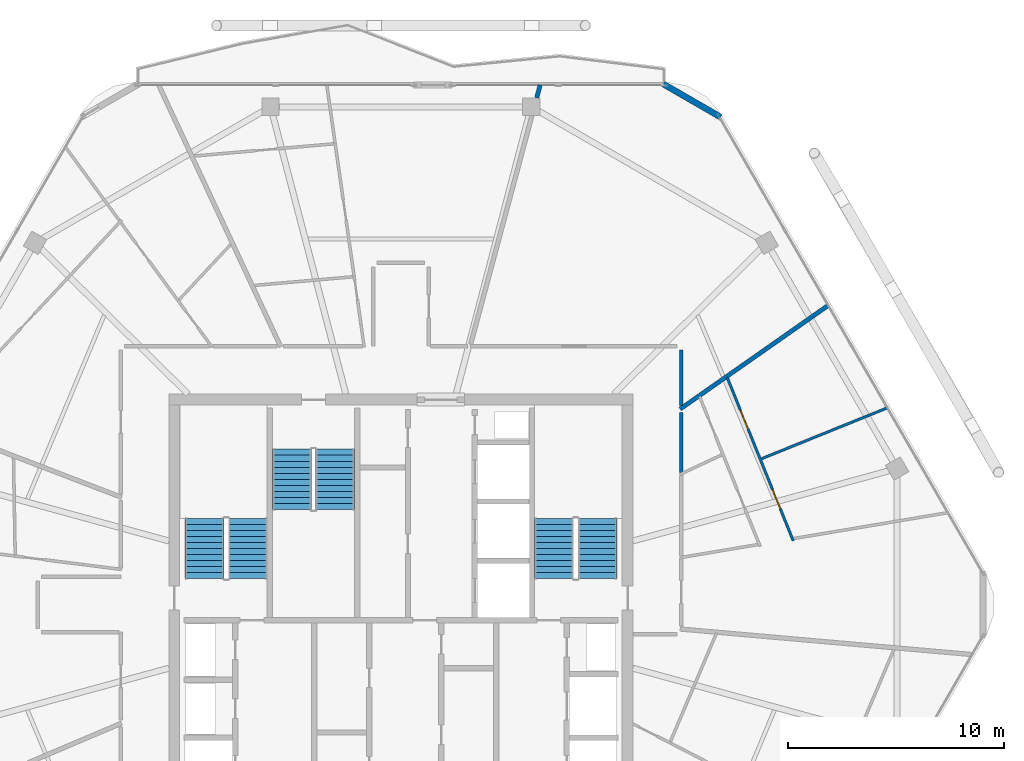
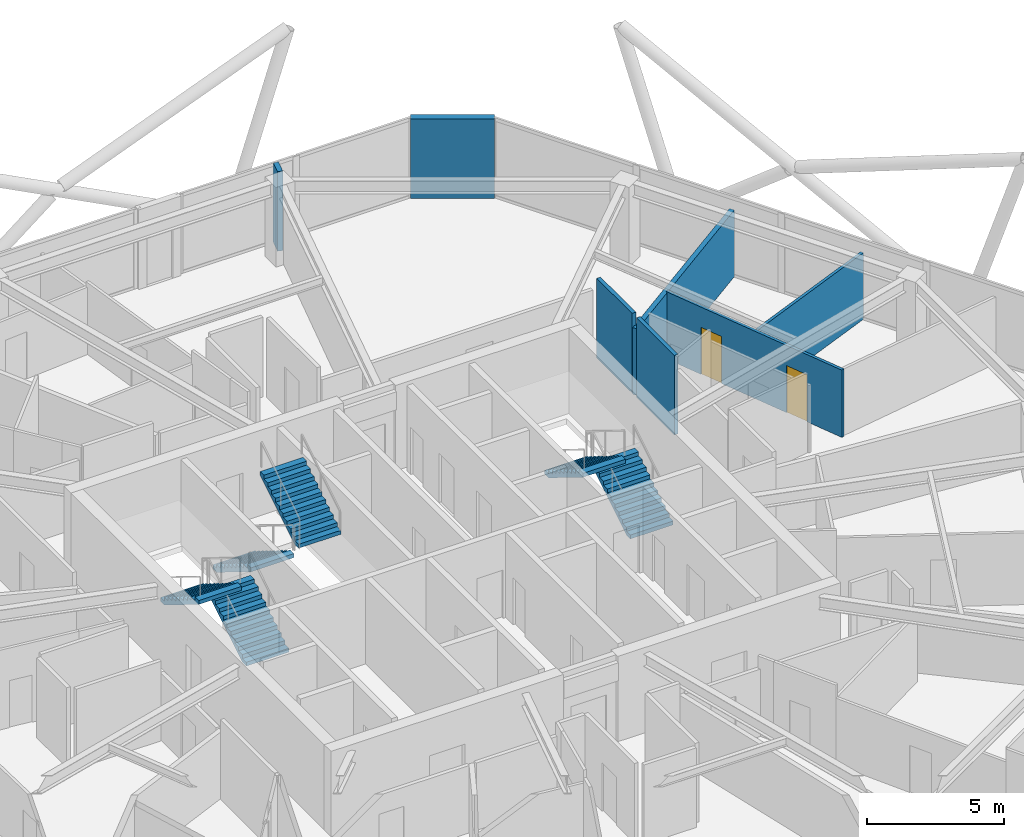
# One storey, part 21 of 23: 7 walls, 6 stair flights, 2 doors, 2 openings, 3 elements without a shape of their own.
"""IFC4 building model written with IfcOpenShell, lengths in metres."""

from ifc_helpers import new_model, si_unit, direction, frame, frame_2d, origin, place, context, subcontext, project, spatial, polyline, rectangle, outline, extrude, material, layer, layer_set, type_object, element, fill, aggregate, save


model = new_model("IFC4")

# Units and contexts
model_context = context("Model", 3, precision=1e-05, world=origin(), true_north=direction((0.0, 1.0)))
body_context = subcontext(model_context, "Body", "Model", "MODEL_VIEW")
ifc_project = project(units=[si_unit("LENGTHUNIT", "METRE"), si_unit("AREAUNIT", "SQUARE_METRE"), si_unit("VOLUMEUNIT", "CUBIC_METRE"), si_unit("PLANEANGLEUNIT", "RADIAN"), si_unit("MASSUNIT", "GRAM", prefix="KILO")], contexts=[model_context])

# Site, building, storey
site_placement = place(None, origin())
site = spatial("IfcSite", under=ifc_project, at=site_placement, CompositionType="ELEMENT")
building_placement = place(site_placement, origin())
building = spatial("IfcBuilding", under=site, at=building_placement, Name="Zuhravey Tower", CompositionType="ELEMENT")
storey_placement = place(building_placement, frame((0.0, 0.0, 323.39990234375)))
storey = spatial("IfcBuildingStorey", under=building, at=storey_placement, Name="L82", CompositionType="ELEMENT", Elevation=323.39990234375)

# Walls
ifc_material_1 = material(Name="Gypsum fire-rated stud partition")
ifc_layer_1 = layer(ifc_material_1, 0.159912109375)
ifc_layer_set_1 = layer_set([ifc_layer_1], Name="Gypsum fire-rated stud partition")
wall_type_1 = type_object("IfcWallType", Name="Corridor Fire Partition 160", PredefinedType="PARTITIONING", material=ifc_layer_set_1)
wall_1_placement = place(storey_placement, frame((48.97998046875, 38.1318359375, 0.0), z_axis=(0.0, 0.0, 1.0), x_axis=(0.0, 1.0, 0.0)))
element("IfcWall", 1, at=wall_1_placement, inside=storey, type_object=wall_type_1, Name="L82 IW16 Partition 110", PredefinedType="PARTITIONING", context=body_context, shape_type="SweptSolid", body=[
    extrude(rectangle(XDim=2.7646484375, YDim=0.159912109375, at=frame_2d((1.38232421875, 0.0))), origin(), (0.0, 0.0, 1.0), 3.550048828125),
])
wall_2_placement = place(storey_placement, frame((48.97998046875, 41.220703125, 0.0), z_axis=(0.0, 0.0, 1.0), x_axis=(0.0, 1.0, 0.0)))
element("IfcWall", 2, at=wall_2_placement, inside=storey, type_object=wall_type_1, Name="L82 IW16 Partition 111", PredefinedType="PARTITIONING", context=body_context, shape_type="SweptSolid", body=[
    extrude(rectangle(XDim=2.579345703125, YDim=0.159912109375, at=frame_2d((1.28955078125, 0.0))), origin(), (0.0, 0.0, 1.0), 3.550048828125),
])
ifc_material_2 = material(Name="Precast concrete C40/50", Category="concrete")
ifc_layer_2 = layer(ifc_material_2, 0.280029296875)
ifc_layer_set_2 = layer_set([ifc_layer_2], Name="Precast concrete C40/50")
wall_type_2 = type_object("IfcWallType", Name="Crown Architectural Wall 280", PredefinedType="SOLIDWALL", material=ifc_layer_set_2)
wall_3_placement = place(storey_placement, frame((48.156982421875, 56.12158203125, 0.0), z_axis=(0.0, 0.0, 1.0), x_axis=(0.866023752521, -0.50000286006, 0.0)))
element("IfcWall", 3, at=wall_3_placement, inside=storey, type_object=wall_type_2, Name="L82 Rounded Corner Closure Wall EW28-10", PredefinedType="SOLIDWALL", context=body_context, shape_type="SweptSolid", body=[
    extrude(rectangle(XDim=3.06494140625, YDim=0.280029296875, at=frame_2d((1.532470703125, 0.0))), origin(), (0.0, 0.0, 1.0), 3.550048828125),
])
ifc_material_3 = material(Name="Gypsum double-stud party assembly")
ifc_layer_3 = layer(ifc_material_3, 0.199951171875)
ifc_layer_set_3 = layer_set([ifc_layer_3], Name="Gypsum double-stud party assembly")
wall_type_3 = type_object("IfcWallType", Name="Inter-Tenancy Party Wall 200", PredefinedType="PARTITIONING", material=ifc_layer_set_3)
wall_4_placement = place(storey_placement, frame((48.93994140625, 41.060791015625, 0.0), z_axis=(0.0, 0.0, 1.0), x_axis=(0.819159279368, 0.573566103448, 0.0)))
element("IfcWall", 4, at=wall_4_placement, inside=storey, type_object=wall_type_3, Name="L82 IW20 Partition 087", PredefinedType="PARTITIONING", context=body_context, shape_type="SweptSolid", body=[
    extrude(rectangle(XDim=8.369140625, YDim=0.199951171875, at=frame_2d((4.1845703125, 0.0))), origin(), (0.0, 0.0, 1.0), 2.97021484375),
])
wall_5_placement = place(storey_placement, frame((42.29248046875, 55.484130859375, 0.0), z_axis=(0.0, 0.0, 1.0), x_axis=(0.258955805871, 0.965889170974, 0.0)))
element("IfcWall", 5, at=wall_5_placement, inside=storey, type_object=wall_type_3, Name="L82 IW20 Partition 089", PredefinedType="PARTITIONING", context=body_context, shape_type="SweptSolid", body=[
    extrude(rectangle(XDim=0.61083984375, YDim=0.199951171875, at=frame_2d((0.305419921875, 0.0))), origin(), (0.0, 0.0, 1.0), 3.550048828125),
])

# Wall, openings, doors
ifc_material_4 = material(Name="Gypsum metal-stud partition")
ifc_layer_4 = layer(ifc_material_4, 0.1201171875)
ifc_layer_set_4 = layer_set([ifc_layer_4], Name="Gypsum metal-stud partition")
wall_type_4 = type_object("IfcWallType", Name="Unit Internal Partition 120", PredefinedType="PARTITIONING", material=ifc_layer_set_4)
wall_6_placement = place(storey_placement, frame((54.179443359375, 34.953857421875, 0.0), z_axis=(0.0, 0.0, 1.0), x_axis=(-0.374928779354, 0.927053617873, 0.0)))
wall_6 = element("IfcWall", 6, at=wall_6_placement, inside=storey, type_object=wall_type_4, Name="L82 IW12 Partition 049", PredefinedType="PARTITIONING", context=body_context, shape_type="SweptSolid", body=[
    extrude(rectangle(XDim=8.1552734375, YDim=0.1201171875, at=frame_2d((4.07763671875, 0.0))), origin(), (0.0, 0.0, 1.0), 3.0),
])
opening_1_placement = place(wall_6_placement, frame((1.614013671875, 0.0, 0.0)))
opening_1 = element("IfcOpeningElement", 7, at=opening_1_placement, cuts=wall_6, Name="Opening IND1", PredefinedType="OPENING", context=body_context, shape_type="SweptSolid", body=[
    extrude(rectangle(XDim=0.949951171875, YDim=2.10009765625, at=frame_2d((0.47509765625, 1.050048828125))), frame((0.0, 0.072021484375, 0.0), z_axis=(0.0, -1.0, 0.0), x_axis=(1.0, 0.0, 0.0)), (0.0, 0.0, 1.0), 0.14404296875),
])
opening_2_placement = place(wall_6_placement, frame((5.591552734375, 0.0, 0.0)))
opening_2 = element("IfcOpeningElement", 8, at=opening_2_placement, cuts=wall_6, Name="Opening IND1", PredefinedType="OPENING", context=body_context, shape_type="SweptSolid", body=[
    extrude(rectangle(XDim=0.949951171875, YDim=2.10009765625, at=frame_2d((0.47509765625, 1.050048828125))), frame((0.0, 0.072021484375, 0.0), z_axis=(0.0, -1.0, 0.0), x_axis=(1.0, 0.0, 0.0)), (0.0, 0.0, 1.0), 0.14404296875),
])
ifc_material_5 = material(Name="Painted engineered timber leaf", Category="wood")
door_type = type_object("IfcDoorType", Name="Internal Room & Bedroom Door 950x2100", OperationType="NOTDEFINED", PredefinedType="DOOR", material=ifc_material_5)
door_1_placement = place(opening_1_placement, frame((0.949951171875, 0.0, 0.0), z_axis=(0.0, 0.0, 1.0), x_axis=(-1.0, 0.0, 0.0)))
door_1 = element("IfcDoor", 9, at=door_1_placement, inside=storey, type_object=door_type, Name="Apartment L82-07 Bedroom 1 Door", OperationType="SINGLE_SWING_LEFT", OverallHeight=2.10009765625, OverallWidth=0.949951171875, PredefinedType="DOOR", context=body_context, shape_type="SweptSolid", body=[
    extrude(rectangle(XDim=0.949951171875, YDim=2.10009765625, at=frame_2d((0.47509765625, 1.050048828125))), frame((0.0, 0.02490234375, 0.0), z_axis=(0.0, -1.0, 0.0), x_axis=(1.0, 0.0, 0.0)), (0.0, 0.0, 1.0), 0.050048828125),
])
fill(opening_1, door_1)
door_2_placement = place(opening_2_placement, frame((0.949951171875, 0.0, 0.0), z_axis=(0.0, 0.0, 1.0), x_axis=(-1.0, 0.0, 0.0)))
door_2 = element("IfcDoor", 10, at=door_2_placement, inside=storey, type_object=door_type, Name="Apartment L82-07 Bedroom 2 Door", OperationType="SINGLE_SWING_RIGHT", OverallHeight=2.10009765625, OverallWidth=0.949951171875, PredefinedType="DOOR", context=body_context, shape_type="SweptSolid", body=[
    extrude(rectangle(XDim=0.949951171875, YDim=2.10009765625, at=frame_2d((0.47509765625, 1.050048828125))), frame((0.0, 0.02490234375, 0.0), z_axis=(0.0, -1.0, 0.0), x_axis=(1.0, 0.0, 0.0)), (0.0, 0.0, 1.0), 0.050048828125),
])
fill(opening_2, door_2)

# Wall
wall_7_placement = place(storey_placement, frame((52.713623046875, 38.759521484375, 0.0), z_axis=(0.0, 0.0, 1.0), x_axis=(0.927048652302, 0.374941057056, 0.0)))
element("IfcWall", 11, at=wall_7_placement, inside=storey, type_object=wall_type_4, Name="L82 IW12 Partition 084", PredefinedType="PARTITIONING", context=body_context, shape_type="SweptSolid", body=[
    extrude(rectangle(XDim=6.290771484375, YDim=0.1201171875, at=frame_2d((3.1455078125, 0.0))), origin(), (0.0, 0.0, 1.0), 2.97021484375),
])

# Stair, stair flights
ifc_material_6 = material(Name="Concrete C40/50", Category="concrete")
stair_type = type_object("IfcStairType", Name="Housing Storey Stair Assembly 3800", PredefinedType="HALF_TURN_STAIR", material=ifc_material_6)
stair_1_placement = place(storey_placement, origin())
stair_1 = element("IfcStair", 12, at=stair_1_placement, inside=storey, type_object=stair_type, Name="L82 Core Exit Stair ST1", PredefinedType="HALF_TURN_STAIR")
stair_flight_type = type_object("IfcStairFlightType", Name="Housing Storey Stair Flight 3800", PredefinedType="STRAIGHT", material=ifc_material_6)
stair_flight_1_placement = place(storey_placement, frame((28.89990234375, 33.199951171875, 0.0), z_axis=(0.0, 0.0, 1.0), x_axis=(0.0, 1.0, 0.0)))
stair_flight_1 = element("IfcStairFlight", 13, at=stair_flight_1_placement, type_object=stair_flight_type, Name="ST1 flight 1", NumberOfRisers=11, NumberOfTreads=10, PredefinedType="STRAIGHT", RiserHeight=0.172727273, TreadLength=0.28, context=body_context, shape_type="SweptSolid", body=[
    extrude(outline(polyline([(0.0, 0.0), (0.0, 0.172607421875), (0.280029296875, 0.172607421875), (0.280029296875, 0.345458984375), (0.56005859375, 0.345458984375), (0.56005859375, 0.51806640625), (0.840087890625, 0.51806640625), (0.840087890625, 0.69091796875), (1.1201171875, 0.69091796875), (1.1201171875, 0.863525390625), (1.39990234375, 0.863525390625), (1.39990234375, 1.036376953125), (1.679931640625, 1.036376953125), (1.679931640625, 1.208984375), (1.9599609375, 1.208984375), (1.9599609375, 1.3818359375), (2.239990234375, 1.3818359375), (2.239990234375, 1.554443359375), (2.52001953125, 1.554443359375), (2.52001953125, 1.727294921875), (2.800048828125, 1.727294921875), (2.800048828125, 1.89990234375), (2.800048828125, 1.551025390625), (0.285400390625, 0.0), (0.0, 0.0)])), frame((0.0, 0.89990234375, 0.0), z_axis=(0.0, -1.0, 0.0), x_axis=(1.0, 0.0, 0.0)), (0.0, 0.0, 1.0), 1.800048828125),
])
stair_flight_2_placement = place(storey_placement, frame((26.89990234375, 36.0, 1.900146484375), z_axis=(0.0, 0.0, 1.0), x_axis=(0.0, -1.0, 0.0)))
stair_flight_2 = element("IfcStairFlight", 14, at=stair_flight_2_placement, type_object=stair_flight_type, Name="ST1 flight 2", NumberOfRisers=11, NumberOfTreads=10, PredefinedType="STRAIGHT", RiserHeight=0.172727273, TreadLength=0.28, context=body_context, shape_type="SweptSolid", body=[
    extrude(outline(polyline([(0.0, 0.0), (0.0, 0.172607421875), (0.280029296875, 0.172607421875), (0.280029296875, 0.345458984375), (0.56005859375, 0.345458984375), (0.56005859375, 0.51806640625), (0.840087890625, 0.51806640625), (0.840087890625, 0.69091796875), (1.1201171875, 0.69091796875), (1.1201171875, 0.863525390625), (1.39990234375, 0.863525390625), (1.39990234375, 1.036376953125), (1.679931640625, 1.036376953125), (1.679931640625, 1.208984375), (1.9599609375, 1.208984375), (1.9599609375, 1.3818359375), (2.239990234375, 1.3818359375), (2.239990234375, 1.554443359375), (2.52001953125, 1.554443359375), (2.52001953125, 1.727294921875), (2.800048828125, 1.727294921875), (2.800048828125, 1.89990234375), (2.800048828125, 1.551025390625), (0.285400390625, 0.0), (0.0, 0.0)])), frame((0.0, 0.89990234375, 0.0), z_axis=(0.0, -1.0, 0.0), x_axis=(1.0, 0.0, 0.0)), (0.0, 0.0, 1.0), 1.800048828125),
])
aggregate(stair_1, [stair_flight_1, stair_flight_2])

stair_2_placement = place(storey_placement, origin())
stair_2 = element("IfcStair", 15, at=stair_2_placement, inside=storey, type_object=stair_type, Name="L82 Core Exit Stair ST2", PredefinedType="HALF_TURN_STAIR")
stair_flight_3_placement = place(storey_placement, frame((45.10009765625, 33.199951171875, 0.0), z_axis=(0.0, 0.0, 1.0), x_axis=(0.0, 1.0, 0.0)))
stair_flight_3 = element("IfcStairFlight", 16, at=stair_flight_3_placement, type_object=stair_flight_type, Name="ST2 flight 1", NumberOfRisers=11, NumberOfTreads=10, PredefinedType="STRAIGHT", RiserHeight=0.172727273, TreadLength=0.28, context=body_context, shape_type="SweptSolid", body=[
    extrude(outline(polyline([(0.0, 0.0), (0.0, 0.172607421875), (0.280029296875, 0.172607421875), (0.280029296875, 0.345458984375), (0.56005859375, 0.345458984375), (0.56005859375, 0.51806640625), (0.840087890625, 0.51806640625), (0.840087890625, 0.69091796875), (1.1201171875, 0.69091796875), (1.1201171875, 0.863525390625), (1.39990234375, 0.863525390625), (1.39990234375, 1.036376953125), (1.679931640625, 1.036376953125), (1.679931640625, 1.208984375), (1.9599609375, 1.208984375), (1.9599609375, 1.3818359375), (2.239990234375, 1.3818359375), (2.239990234375, 1.554443359375), (2.52001953125, 1.554443359375), (2.52001953125, 1.727294921875), (2.800048828125, 1.727294921875), (2.800048828125, 1.89990234375), (2.800048828125, 1.551025390625), (0.285400390625, 0.0), (0.0, 0.0)])), frame((0.0, 0.89990234375, 0.0), z_axis=(0.0, -1.0, 0.0), x_axis=(1.0, 0.0, 0.0)), (0.0, 0.0, 1.0), 1.800048828125),
])
stair_flight_4_placement = place(storey_placement, frame((43.10009765625, 36.0, 1.900146484375), z_axis=(0.0, 0.0, 1.0), x_axis=(0.0, -1.0, 0.0)))
stair_flight_4 = element("IfcStairFlight", 17, at=stair_flight_4_placement, type_object=stair_flight_type, Name="ST2 flight 2", NumberOfRisers=11, NumberOfTreads=10, PredefinedType="STRAIGHT", RiserHeight=0.172727273, TreadLength=0.28, context=body_context, shape_type="SweptSolid", body=[
    extrude(outline(polyline([(0.0, 0.0), (0.0, 0.172607421875), (0.280029296875, 0.172607421875), (0.280029296875, 0.345458984375), (0.56005859375, 0.345458984375), (0.56005859375, 0.51806640625), (0.840087890625, 0.51806640625), (0.840087890625, 0.69091796875), (1.1201171875, 0.69091796875), (1.1201171875, 0.863525390625), (1.39990234375, 0.863525390625), (1.39990234375, 1.036376953125), (1.679931640625, 1.036376953125), (1.679931640625, 1.208984375), (1.9599609375, 1.208984375), (1.9599609375, 1.3818359375), (2.239990234375, 1.3818359375), (2.239990234375, 1.554443359375), (2.52001953125, 1.554443359375), (2.52001953125, 1.727294921875), (2.800048828125, 1.727294921875), (2.800048828125, 1.89990234375), (2.800048828125, 1.551025390625), (0.285400390625, 0.0), (0.0, 0.0)])), frame((0.0, 0.89990234375, 0.0), z_axis=(0.0, -1.0, 0.0), x_axis=(1.0, 0.0, 0.0)), (0.0, 0.0, 1.0), 1.800048828125),
])
aggregate(stair_2, [stair_flight_3, stair_flight_4])

stair_3_placement = place(storey_placement, origin())
stair_3 = element("IfcStair", 18, at=stair_3_placement, inside=storey, type_object=stair_type, Name="L82 Core Exit Stair ST3", PredefinedType="HALF_TURN_STAIR")
stair_flight_5_placement = place(storey_placement, frame((30.949951171875, 39.199951171875, 0.0), z_axis=(0.0, 0.0, 1.0), x_axis=(0.0, -1.0, 0.0)))
stair_flight_5 = element("IfcStairFlight", 19, at=stair_flight_5_placement, type_object=stair_flight_type, Name="ST3 flight 1", NumberOfRisers=11, NumberOfTreads=10, PredefinedType="STRAIGHT", RiserHeight=0.172727273, TreadLength=0.28, context=body_context, shape_type="SweptSolid", body=[
    extrude(outline(polyline([(0.0, 0.0), (0.0, 0.172607421875), (0.280029296875, 0.172607421875), (0.280029296875, 0.345458984375), (0.56005859375, 0.345458984375), (0.56005859375, 0.51806640625), (0.840087890625, 0.51806640625), (0.840087890625, 0.69091796875), (1.1201171875, 0.69091796875), (1.1201171875, 0.863525390625), (1.39990234375, 0.863525390625), (1.39990234375, 1.036376953125), (1.679931640625, 1.036376953125), (1.679931640625, 1.208984375), (1.9599609375, 1.208984375), (1.9599609375, 1.3818359375), (2.239990234375, 1.3818359375), (2.239990234375, 1.554443359375), (2.52001953125, 1.554443359375), (2.52001953125, 1.727294921875), (2.800048828125, 1.727294921875), (2.800048828125, 1.89990234375), (2.800048828125, 1.551025390625), (0.285400390625, 0.0), (0.0, 0.0)])), frame((0.0, 0.89990234375, 0.0), z_axis=(0.0, -1.0, 0.0), x_axis=(1.0, 0.0, 0.0)), (0.0, 0.0, 1.0), 1.800048828125),
])
stair_flight_6_placement = place(storey_placement, frame((32.949951171875, 36.39990234375, 1.900146484375), z_axis=(0.0, 0.0, 1.0), x_axis=(0.0, 1.0, 0.0)))
stair_flight_6 = element("IfcStairFlight", 20, at=stair_flight_6_placement, type_object=stair_flight_type, Name="ST3 flight 2", NumberOfRisers=11, NumberOfTreads=10, PredefinedType="STRAIGHT", RiserHeight=0.172727273, TreadLength=0.28, context=body_context, shape_type="SweptSolid", body=[
    extrude(outline(polyline([(0.0, 0.0), (0.0, 0.172607421875), (0.280029296875, 0.172607421875), (0.280029296875, 0.345458984375), (0.56005859375, 0.345458984375), (0.56005859375, 0.51806640625), (0.840087890625, 0.51806640625), (0.840087890625, 0.69091796875), (1.1201171875, 0.69091796875), (1.1201171875, 0.863525390625), (1.39990234375, 0.863525390625), (1.39990234375, 1.036376953125), (1.679931640625, 1.036376953125), (1.679931640625, 1.208984375), (1.9599609375, 1.208984375), (1.9599609375, 1.3818359375), (2.239990234375, 1.3818359375), (2.239990234375, 1.554443359375), (2.52001953125, 1.554443359375), (2.52001953125, 1.727294921875), (2.800048828125, 1.727294921875), (2.800048828125, 1.89990234375), (2.800048828125, 1.551025390625), (0.285400390625, 0.0), (0.0, 0.0)])), frame((0.0, 0.89990234375, 0.0), z_axis=(0.0, -1.0, 0.0), x_axis=(1.0, 0.0, 0.0)), (0.0, 0.0, 1.0), 1.800048828125),
])
aggregate(stair_3, [stair_flight_5, stair_flight_6])

save(model, "model.ifc")
